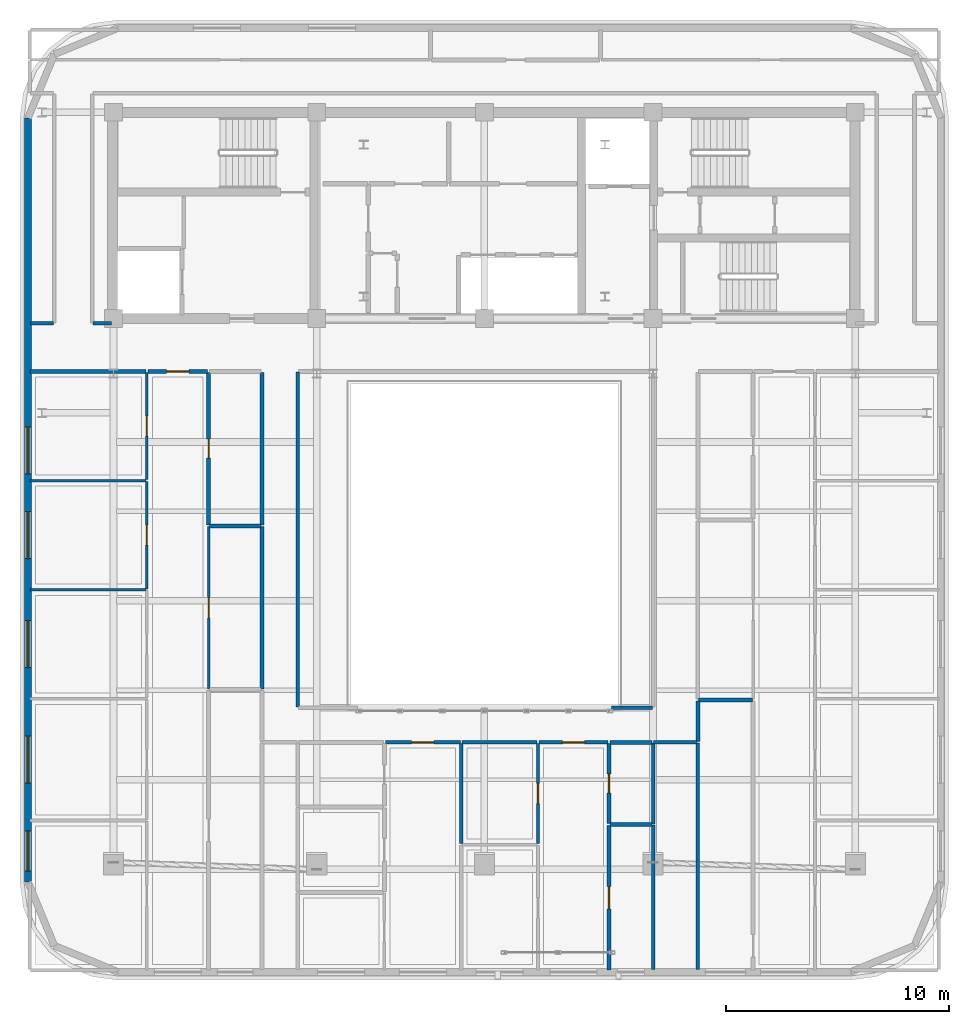
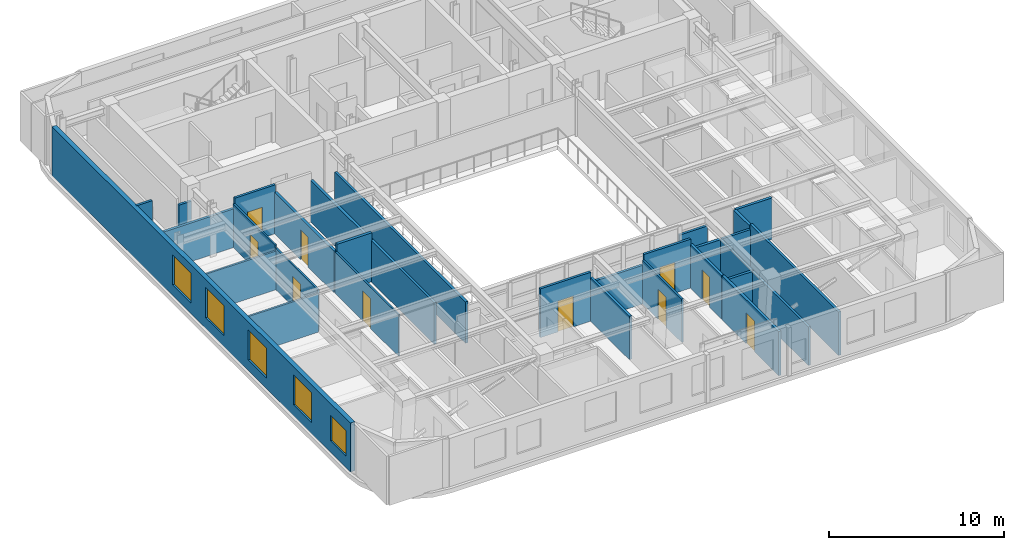
# One storey, part 8 of 14: 31 walls, 10 doors, 5 windows, 15 openings.
"""IFC4 building model written with IfcOpenShell, lengths in metres."""

from ifc_helpers import new_model, si_unit, direction, frame, frame_2d, origin, place, context, subcontext, project, spatial, rectangle, extrude, material, layer, layer_set, type_object, element, fill, save


model = new_model("IFC4")

# Units and contexts
model_context = context("Model", 3, precision=1e-05, world=origin(), true_north=direction((0.0, 1.0)))
body_context = subcontext(model_context, "Body", "Model", "MODEL_VIEW")
ifc_project = project(units=[si_unit("LENGTHUNIT", "METRE"), si_unit("AREAUNIT", "SQUARE_METRE"), si_unit("VOLUMEUNIT", "CUBIC_METRE"), si_unit("PLANEANGLEUNIT", "RADIAN"), si_unit("MASSUNIT", "GRAM", prefix="KILO")], contexts=[model_context])

# Site, building, storey
site_placement = place(None, origin())
site = spatial("IfcSite", under=ifc_project, at=site_placement, CompositionType="ELEMENT")
building_placement = place(site_placement, origin())
building = spatial("IfcBuilding", under=site, at=building_placement, Name="Zarnavel Station Tower", CompositionType="ELEMENT")
storey_placement = place(building_placement, frame((0.0, 0.0, 251.0)))
storey = spatial("IfcBuildingStorey", under=building, at=storey_placement, Name="L68", CompositionType="ELEMENT", Elevation=251.0)

# Wall, openings, windows
ifc_material_1 = material(Name="Precast concrete C45/55 (Dark Basalt Finish)", Category="masonry")
ifc_layer_1 = layer(ifc_material_1, 0.300048828125)
ifc_layer_set_1 = layer_set([ifc_layer_1], Name="EW_BASALT_300")
wall_type_1 = type_object("IfcWallType", Name="EW_BASALT_300", PredefinedType="SOLIDWALL", material=ifc_layer_set_1)
wall_1_placement = place(storey_placement, frame((8.3798828125, 2.60009765625, 0.0), z_axis=(0.0, 0.0, 1.0), x_axis=(0.0, 1.0, 0.0)))
wall_1 = element("IfcWall", 1, at=wall_1_placement, inside=storey, type_object=wall_type_1, Name="L68 Exterior Basalt Masonry Frame Wall 09", PredefinedType="SOLIDWALL", context=body_context, shape_type="SweptSolid", body=[
    extrude(rectangle(XDim=34.199951171875, YDim=0.300048828125, at=frame_2d((17.10009765625, 0.0))), origin(), (0.0, 0.0, 1.0), 3.419921875),
])
opening_1_placement = place(wall_1_placement, frame((0.488525390625, 0.0, 0.800048828125)))
opening_1 = element("IfcOpeningElement", 2, at=opening_1_placement, cuts=wall_1, Name="Opening WN02", PredefinedType="OPENING", context=body_context, shape_type="SweptSolid", body=[
    extrude(rectangle(XDim=1.800048828125, YDim=1.800048828125, at=frame_2d((0.89990234375, 0.89990234375))), frame((0.0, 0.159912109375, 0.0), z_axis=(0.0, -1.0, 0.0), x_axis=(1.0, 0.0, 0.0)), (0.0, 0.0, 1.0), 0.320068359375),
])
opening_2_placement = place(wall_1_placement, frame((4.431396484375, 0.0, 0.75)))
opening_2 = element("IfcOpeningElement", 3, at=opening_2_placement, cuts=wall_1, Name="Opening WN05", PredefinedType="OPENING", context=body_context, shape_type="SweptSolid", body=[
    extrude(rectangle(XDim=2.10009765625, YDim=2.10009765625, at=frame_2d((1.050048828125, 1.050048828125))), frame((0.0, 0.159912109375, 0.0), z_axis=(0.0, -1.0, 0.0), x_axis=(1.0, 0.0, 0.0)), (0.0, 0.0, 1.0), 0.320068359375),
])
opening_3_placement = place(wall_1_placement, frame((9.596435546875, 0.0, 0.75)))
opening_3 = element("IfcOpeningElement", 4, at=opening_3_placement, cuts=wall_1, Name="Opening WN05", PredefinedType="OPENING", context=body_context, shape_type="SweptSolid", body=[
    extrude(rectangle(XDim=2.10009765625, YDim=2.10009765625, at=frame_2d((1.050048828125, 1.050048828125))), frame((0.0, 0.159912109375, 0.0), z_axis=(0.0, -1.0, 0.0), x_axis=(1.0, 0.0, 0.0)), (0.0, 0.0, 1.0), 0.320068359375),
])
opening_4_placement = place(wall_1_placement, frame((14.4775390625, 0.0, 0.75)))
opening_4 = element("IfcOpeningElement", 5, at=opening_4_placement, cuts=wall_1, Name="Opening WN05", PredefinedType="OPENING", context=body_context, shape_type="SweptSolid", body=[
    extrude(rectangle(XDim=2.10009765625, YDim=2.10009765625, at=frame_2d((1.050048828125, 1.050048828125))), frame((0.0, 0.159912109375, 0.0), z_axis=(0.0, -1.0, 0.0), x_axis=(1.0, 0.0, 0.0)), (0.0, 0.0, 1.0), 0.320068359375),
])
opening_5_placement = place(wall_1_placement, frame((18.26806640625, 0.0, 0.75)))
opening_5 = element("IfcOpeningElement", 6, at=opening_5_placement, cuts=wall_1, Name="Opening WN05", PredefinedType="OPENING", context=body_context, shape_type="SweptSolid", body=[
    extrude(rectangle(XDim=2.10009765625, YDim=2.10009765625, at=frame_2d((1.050048828125, 1.050048828125))), frame((0.0, 0.159912109375, 0.0), z_axis=(0.0, -1.0, 0.0), x_axis=(1.0, 0.0, 0.0)), (0.0, 0.0, 1.0), 0.320068359375),
])
ifc_material_2 = material(Name="Thermally Broken Black Aluminium and Low-E Dark Glass", Category="aluminium")
window_type_1 = type_object("IfcWindowType", Name="WN_1800x1800", PartitioningType="DOUBLE_PANEL_VERTICAL", PredefinedType="WINDOW", material=ifc_material_2)
window_1_placement = place(opening_1_placement, origin())
window_1 = element("IfcWindow", 7, at=window_1_placement, inside=storey, type_object=window_type_1, Name="L68 Recessed Facade Window 01", OverallHeight=1.800048828125, OverallWidth=1.800048828125, PartitioningType="SINGLE_PANEL", PredefinedType="WINDOW", context=body_context, shape_type="SweptSolid", body=[
    extrude(rectangle(XDim=1.800048828125, YDim=1.800048828125, at=frame_2d((0.89990234375, 0.89990234375))), frame((0.0, 0.030029296875, 0.0), z_axis=(0.0, -1.0, 0.0), x_axis=(1.0, 0.0, 0.0)), (0.0, 0.0, 1.0), 0.06005859375),
])
fill(opening_1, window_1)
ifc_material_3 = material(Name="Thermally Broken Black Aluminium and Low-E Dark Glass", Category="aluminium")
window_type_2 = type_object("IfcWindowType", Name="WN_2100x2100", PartitioningType="TRIPLE_PANEL_VERTICAL", PredefinedType="WINDOW", material=ifc_material_3)
window_2_placement = place(opening_2_placement, origin())
window_2 = element("IfcWindow", 8, at=window_2_placement, inside=storey, type_object=window_type_2, Name="L68 Recessed Facade Window 02", OverallHeight=2.10009765625, OverallWidth=2.10009765625, PartitioningType="SINGLE_PANEL", PredefinedType="WINDOW", context=body_context, shape_type="SweptSolid", body=[
    extrude(rectangle(XDim=2.10009765625, YDim=2.10009765625, at=frame_2d((1.050048828125, 1.050048828125))), frame((0.0, 0.030029296875, 0.0), z_axis=(0.0, -1.0, 0.0), x_axis=(1.0, 0.0, 0.0)), (0.0, 0.0, 1.0), 0.06005859375),
])
fill(opening_2, window_2)
window_3_placement = place(opening_3_placement, origin())
window_3 = element("IfcWindow", 9, at=window_3_placement, inside=storey, type_object=window_type_2, Name="L68 Recessed Facade Window 03", OverallHeight=2.10009765625, OverallWidth=2.10009765625, PartitioningType="SINGLE_PANEL", PredefinedType="WINDOW", context=body_context, shape_type="SweptSolid", body=[
    extrude(rectangle(XDim=2.10009765625, YDim=2.10009765625, at=frame_2d((1.050048828125, 1.050048828125))), frame((0.0, 0.030029296875, 0.0), z_axis=(0.0, -1.0, 0.0), x_axis=(1.0, 0.0, 0.0)), (0.0, 0.0, 1.0), 0.06005859375),
])
fill(opening_3, window_3)
window_4_placement = place(opening_4_placement, origin())
window_4 = element("IfcWindow", 10, at=window_4_placement, inside=storey, type_object=window_type_2, Name="L68 Recessed Facade Window 04", OverallHeight=2.10009765625, OverallWidth=2.10009765625, PartitioningType="SINGLE_PANEL", PredefinedType="WINDOW", context=body_context, shape_type="SweptSolid", body=[
    extrude(rectangle(XDim=2.10009765625, YDim=2.10009765625, at=frame_2d((1.050048828125, 1.050048828125))), frame((0.0, 0.030029296875, 0.0), z_axis=(0.0, -1.0, 0.0), x_axis=(1.0, 0.0, 0.0)), (0.0, 0.0, 1.0), 0.06005859375),
])
fill(opening_4, window_4)
window_5_placement = place(opening_5_placement, origin())
window_5 = element("IfcWindow", 11, at=window_5_placement, inside=storey, type_object=window_type_2, Name="L68 Recessed Facade Window 05", OverallHeight=2.10009765625, OverallWidth=2.10009765625, PartitioningType="SINGLE_PANEL", PredefinedType="WINDOW", context=body_context, shape_type="SweptSolid", body=[
    extrude(rectangle(XDim=2.10009765625, YDim=2.10009765625, at=frame_2d((1.050048828125, 1.050048828125))), frame((0.0, 0.030029296875, 0.0), z_axis=(0.0, -1.0, 0.0), x_axis=(1.0, 0.0, 0.0)), (0.0, 0.0, 1.0), 0.06005859375),
])
fill(opening_5, window_5)

# Wall, opening, door
ifc_material_4 = material(Name="Gypsum Twin-Stud Acoustic Fire Partition", Category="concrete")
ifc_layer_2 = layer(ifc_material_4, 0.159912109375)
ifc_layer_set_2 = layer_set([ifc_layer_2], Name="PT_DEMISE_160")
wall_type_2 = type_object("IfcWallType", Name="PT_DEMISE_160", PredefinedType="PARTITIONING", material=ifc_layer_set_2)
wall_2_placement = place(storey_placement, frame((13.738037109375, 25.449951171875, 0.0), z_axis=(0.0, 0.0, 1.0), x_axis=(1.0, 0.0, 0.0)))
wall_2 = element("IfcWall", 12, at=wall_2_placement, inside=storey, type_object=wall_type_2, Name="L68 Partition COR-S-UW1LV", PredefinedType="PARTITIONING", context=body_context, shape_type="SweptSolid", body=[
    extrude(rectangle(XDim=2.681884765625, YDim=0.159912109375, at=frame_2d((1.3408203125, 0.0))), origin(), (0.0, 0.0, 1.0), 3.419921875),
])
opening_6_placement = place(wall_2_placement, frame((0.841064453125, 0.0, 0.0)))
opening_6 = element("IfcOpeningElement", 13, at=opening_6_placement, cuts=wall_2, Name="Opening FD02", PredefinedType="OPENING", context=body_context, shape_type="SweptSolid", body=[
    extrude(rectangle(XDim=1.0, YDim=2.14990234375, at=frame_2d((0.5, 1.074951171875))), frame((0.0, 0.08984375, 0.0), z_axis=(0.0, -1.0, 0.0), x_axis=(1.0, 0.0, 0.0)), (0.0, 0.0, 1.0), 0.179931640625),
])
ifc_material_5 = material(Name="Painted Galvanised Steel and Hardwood Leaf", Category="steel")
door_type_1 = type_object("IfcDoorType", Name="ID_ENTRY_1000", OperationType="NOTDEFINED", PredefinedType="DOOR", material=ifc_material_5)
door_1_placement = place(opening_6_placement, origin())
door_1 = element("IfcDoor", 14, at=door_1_placement, inside=storey, type_object=door_type_1, Name="L68 Door COR-S-UW1LV", OperationType="SINGLE_SWING_RIGHT", OverallHeight=2.14990234375, OverallWidth=1.0, PredefinedType="DOOR", context=body_context, shape_type="SweptSolid", body=[
    extrude(rectangle(XDim=1.0, YDim=2.14990234375, at=frame_2d((0.5, 1.074951171875))), frame((0.0, 0.02490234375, 0.0), z_axis=(0.0, -1.0, 0.0), x_axis=(1.0, 0.0, 0.0)), (0.0, 0.0, 1.0), 0.050048828125),
])
fill(opening_6, door_1)

# Walls
wall_3_placement = place(storey_placement, frame((8.4599609375, 25.449951171875, 0.0), z_axis=(0.0, 0.0, 1.0), x_axis=(1.0, 0.0, 0.0)))
element("IfcWall", 15, at=wall_3_placement, inside=storey, type_object=wall_type_2, Name="L68 Partition COR-S-UW1B5", PredefinedType="PARTITIONING", context=body_context, shape_type="SweptSolid", body=[
    extrude(rectangle(XDim=5.197998046875, YDim=0.159912109375, at=frame_2d((2.59912109375, 0.0))), origin(), (0.0, 0.0, 1.0), 2.699951171875),
])
wall_4_placement = place(storey_placement, frame((18.85009765625, 11.251953125, 0.0), z_axis=(0.0, 0.0, 1.0), x_axis=(0.0, 1.0, 0.0)))
element("IfcWall", 16, at=wall_4_placement, inside=storey, type_object=wall_type_2, Name="L68 Partition COR-AW-UW1UT", PredefinedType="PARTITIONING", context=body_context, shape_type="SweptSolid", body=[
    extrude(rectangle(XDim=7.254150390625, YDim=0.159912109375, at=frame_2d((3.626953125, 0.0))), origin(), (0.0, 0.0, 1.0), 2.89990234375),
])

# Wall, opening, door
wall_5_placement = place(storey_placement, frame((24.365966796875, 8.85009765625, 0.0), z_axis=(0.0, 0.0, 1.0), x_axis=(1.0, 0.0, 0.0)))
wall_5 = element("IfcWall", 17, at=wall_5_placement, inside=storey, type_object=wall_type_2, Name="L68 Partition COR-AS-US1ALV", PredefinedType="PARTITIONING", context=body_context, shape_type="SweptSolid", body=[
    extrude(rectangle(XDim=3.358154296875, YDim=0.159912109375, at=frame_2d((1.67919921875, 0.0))), origin(), (0.0, 0.0, 1.0), 3.419921875),
])
opening_7_placement = place(wall_5_placement, frame((1.178955078125, 0.0, 0.0)))
opening_7 = element("IfcOpeningElement", 18, at=opening_7_placement, cuts=wall_5, Name="Opening FD02", PredefinedType="OPENING", context=body_context, shape_type="SweptSolid", body=[
    extrude(rectangle(XDim=1.0, YDim=2.14990234375, at=frame_2d((0.5, 1.074951171875))), frame((0.0, 0.08984375, 0.0), z_axis=(0.0, -1.0, 0.0), x_axis=(1.0, 0.0, 0.0)), (0.0, 0.0, 1.0), 0.179931640625),
])
door_2_placement = place(opening_7_placement, origin())
door_2 = element("IfcDoor", 19, at=door_2_placement, inside=storey, type_object=door_type_1, Name="L68 Door COR-AS-US1ALV", OperationType="SINGLE_SWING_RIGHT", OverallHeight=2.14990234375, OverallWidth=1.0, PredefinedType="DOOR", context=body_context, shape_type="SweptSolid", body=[
    extrude(rectangle(XDim=1.0, YDim=2.14990234375, at=frame_2d((0.5, 1.074951171875))), frame((0.0, 0.02490234375, 0.0), z_axis=(0.0, -1.0, 0.0), x_axis=(1.0, 0.0, 0.0)), (0.0, 0.0, 1.0), 0.050048828125),
])
fill(opening_7, door_2)

wall_6_placement = place(storey_placement, frame((31.238037109375, 8.85009765625, 0.0), z_axis=(0.0, 0.0, 1.0), x_axis=(1.0, 0.0, 0.0)))
wall_6 = element("IfcWall", 20, at=wall_6_placement, inside=storey, type_object=wall_type_2, Name="L68 Partition COR-AS-US1BLV", PredefinedType="PARTITIONING", context=body_context, shape_type="SweptSolid", body=[
    extrude(rectangle(XDim=3.096923828125, YDim=0.159912109375, at=frame_2d((1.54833984375, 0.0))), origin(), (0.0, 0.0, 1.0), 3.419921875),
])
opening_8_placement = place(wall_6_placement, frame((1.048583984375, 0.0, 0.0)))
opening_8 = element("IfcOpeningElement", 21, at=opening_8_placement, cuts=wall_6, Name="Opening FD02", PredefinedType="OPENING", context=body_context, shape_type="SweptSolid", body=[
    extrude(rectangle(XDim=1.0, YDim=2.14990234375, at=frame_2d((0.5, 1.074951171875))), frame((0.0, 0.08984375, 0.0), z_axis=(0.0, -1.0, 0.0), x_axis=(1.0, 0.0, 0.0)), (0.0, 0.0, 1.0), 0.179931640625),
])
door_3_placement = place(opening_8_placement, origin())
door_3 = element("IfcDoor", 22, at=door_3_placement, inside=storey, type_object=door_type_1, Name="L68 Door COR-AS-US1BLV", OperationType="SINGLE_SWING_LEFT", OverallHeight=2.14990234375, OverallWidth=1.0, PredefinedType="DOOR", context=body_context, shape_type="SweptSolid", body=[
    extrude(rectangle(XDim=1.0, YDim=2.14990234375, at=frame_2d((0.5, 1.074951171875))), frame((0.0, 0.02490234375, 0.0), z_axis=(0.0, -1.0, 0.0), x_axis=(1.0, 0.0, 0.0)), (0.0, 0.0, 1.0), 0.050048828125),
])
fill(opening_8, door_3)

# Walls
wall_7_placement = place(storey_placement, frame((27.803955078125, 8.85009765625, 0.0), z_axis=(0.0, 0.0, 1.0), x_axis=(1.0, 0.0, 0.0)))
element("IfcWall", 23, at=wall_7_placement, inside=storey, type_object=wall_type_2, Name="L68 Partition COR-AS-US1BB2", PredefinedType="PARTITIONING", context=body_context, shape_type="SweptSolid", body=[
    extrude(rectangle(XDim=3.35400390625, YDim=0.159912109375, at=frame_2d((1.677001953125, 0.0))), origin(), (0.0, 0.0, 1.0), 2.699951171875),
])
wall_8_placement = place(storey_placement, frame((27.763916015625, 4.319091796875, 0.0), z_axis=(0.0, 0.0, 1.0), x_axis=(0.0, 1.0, 0.0)))
element("IfcWall", 24, at=wall_8_placement, inside=storey, type_object=wall_type_2, Name="L68 Partition US1ALV-US1BB2", PredefinedType="PARTITIONING", context=body_context, shape_type="SweptSolid", body=[
    extrude(rectangle(XDim=4.490966796875, YDim=0.159912109375, at=frame_2d((2.24560546875, 0.0))), origin(), (0.0, 0.0, 1.0), 3.0400390625),
])
wall_9_placement = place(storey_placement, frame((8.489990234375, 27.60009765625, 0.0), z_axis=(0.0, 0.0, 1.0), x_axis=(1.0, 0.0, 0.0)))
element("IfcWall", 25, at=wall_9_placement, inside=storey, type_object=wall_type_2, Name="L68 Enclosure Wall COR-S", PredefinedType="PARTITIONING", context=body_context, shape_type="SweptSolid", body=[
    extrude(rectangle(XDim=1.030029296875, YDim=0.159912109375, at=frame_2d((0.51513671875, 0.0))), origin(), (0.0, 0.0, 1.0), 3.419921875),
])
wall_10_placement = place(storey_placement, frame((11.280029296875, 27.60009765625, 0.0), z_axis=(0.0, 0.0, 1.0), x_axis=(1.0, 0.0, 0.0)))
element("IfcWall", 26, at=wall_10_placement, inside=storey, type_object=wall_type_2, Name="L68 Enclosure Wall COR-S", PredefinedType="PARTITIONING", context=body_context, shape_type="SweptSolid", body=[
    extrude(rectangle(XDim=0.840087890625, YDim=0.159912109375, at=frame_2d((0.419921875, 0.0))), origin(), (0.0, 0.0, 1.0), 2.489990234375),
])
wall_11_placement = place(storey_placement, frame((20.449951171875, 10.429931640625, 0.0), z_axis=(0.0, 0.0, 1.0), x_axis=(0.0, 1.0, 0.0)))
element("IfcWall", 27, at=wall_11_placement, inside=storey, type_object=wall_type_2, Name="L68 Enclosure Wall COR-AW", PredefinedType="PARTITIONING", context=body_context, shape_type="SweptSolid", body=[
    extrude(rectangle(XDim=14.989990234375, YDim=0.159912109375, at=frame_2d((7.4951171875, 0.0))), origin(), (0.0, 0.0, 1.0), 2.89990234375),
])
wall_12_placement = place(storey_placement, frame((36.3798828125, 8.85009765625, 0.0), z_axis=(0.0, 0.0, 1.0), x_axis=(1.0, 0.0, 0.0)))
element("IfcWall", 28, at=wall_12_placement, inside=storey, type_object=wall_type_2, Name="L68 Enclosure Wall COR-AE", PredefinedType="PARTITIONING", context=body_context, shape_type="SweptSolid", body=[
    extrude(rectangle(XDim=1.940185546875, YDim=0.159912109375, at=frame_2d((0.97021484375, 0.0))), origin(), (0.0, 0.0, 1.0), 2.699951171875),
])
wall_13_placement = place(storey_placement, frame((34.47998046875, 10.39990234375, 0.0), z_axis=(0.0, 0.0, 1.0), x_axis=(1.0, 0.0, 0.0)))
element("IfcWall", 29, at=wall_13_placement, inside=storey, type_object=wall_type_2, Name="L68 Enclosure Wall COR-AS", PredefinedType="PARTITIONING", context=body_context, shape_type="SweptSolid", body=[
    extrude(rectangle(XDim=1.840087890625, YDim=0.159912109375, at=frame_2d((0.919921875, 0.0))), origin(), (0.0, 0.0, 1.0), 2.699951171875),
])
wall_14_placement = place(storey_placement, frame((36.35009765625, -1.31005859375, 0.0), z_axis=(0.0, 0.0, 1.0), x_axis=(0.0, 1.0, 0.0)))
element("IfcWall", 30, at=wall_14_placement, inside=storey, type_object=wall_type_2, Name="L68 Enclosure Wall US1BKT", PredefinedType="PARTITIONING", context=body_context, shape_type="SweptSolid", body=[
    extrude(rectangle(XDim=6.462158203125, YDim=0.159912109375, at=frame_2d((3.23095703125, 0.0))), origin(), (0.0, 0.0, 1.0), 2.699951171875),
])
wall_15_placement = place(storey_placement, frame((36.35009765625, 5.2119140625, 0.0), z_axis=(0.0, 0.0, 1.0), x_axis=(0.0, 1.0, 0.0)))
element("IfcWall", 31, at=wall_15_placement, inside=storey, type_object=wall_type_2, Name="L68 Enclosure Wall US1BBA", PredefinedType="PARTITIONING", context=body_context, shape_type="SweptSolid", body=[
    extrude(rectangle(XDim=3.608154296875, YDim=0.159912109375, at=frame_2d((1.80419921875, 0.0))), origin(), (0.0, 0.0, 1.0), 2.699951171875),
])
wall_16_placement = place(storey_placement, frame((38.35009765625, -1.31005859375, 0.0), z_axis=(0.0, 0.0, 1.0), x_axis=(0.0, 1.0, 0.0)))
element("IfcWall", 32, at=wall_16_placement, inside=storey, type_object=wall_type_2, Name="L68 Enclosure Wall UE1KT", PredefinedType="PARTITIONING", context=body_context, shape_type="SweptSolid", body=[
    extrude(rectangle(XDim=10.130126953125, YDim=0.159912109375, at=frame_2d((5.06494140625, 0.0))), origin(), (0.0, 0.0, 1.0), 3.050048828125),
])

# Wall, opening, door
ifc_material_6 = material(Name="Gypsum Metal-Stud Interior Partition", Category="concrete")
ifc_layer_3 = layer(ifc_material_6, 0.1201171875)
ifc_layer_set_3 = layer_set([ifc_layer_3], Name="PT_ROOM_120")
wall_type_3 = type_object("IfcWallType", Name="PT_ROOM_120", PredefinedType="PARTITIONING", material=ifc_layer_set_3)
wall_17_placement = place(storey_placement, frame((16.4599609375, 11.251953125, 0.0), z_axis=(0.0, 0.0, 1.0), x_axis=(0.0, 1.0, 0.0)))
wall_17 = element("IfcWall", 33, at=wall_17_placement, inside=storey, type_object=wall_type_3, Name="L68 Partition UW1LV-UW1UT", PredefinedType="PARTITIONING", context=body_context, shape_type="SweptSolid", body=[
    extrude(rectangle(XDim=7.254150390625, YDim=0.1201171875, at=frame_2d((3.626953125, 0.0))), origin(), (0.0, 0.0, 1.0), 2.89990234375),
])
opening_9_placement = place(wall_17_placement, frame((3.177001953125, 0.0, 0.0)))
opening_9 = element("IfcOpeningElement", 34, at=opening_9_placement, cuts=wall_17, Name="Opening ID01", PredefinedType="OPENING", context=body_context, shape_type="SweptSolid", body=[
    extrude(rectangle(XDim=0.89990234375, YDim=2.10009765625, at=frame_2d((0.449951171875, 1.050048828125))), frame((0.0, 0.070068359375, 0.0), z_axis=(0.0, -1.0, 0.0), x_axis=(1.0, 0.0, 0.0)), (0.0, 0.0, 1.0), 0.14013671875),
])
ifc_material_7 = material(Name="Painted Galvanised Steel and Hardwood Leaf", Category="steel")
door_type_2 = type_object("IfcDoorType", Name="ID_ROOM_900", OperationType="NOTDEFINED", PredefinedType="DOOR", material=ifc_material_7)
door_4_placement = place(opening_9_placement, origin())
door_4 = element("IfcDoor", 35, at=door_4_placement, inside=storey, type_object=door_type_2, Name="L68 Door UW1LV-UW1UT", OperationType="SINGLE_SWING_RIGHT", OverallHeight=2.10009765625, OverallWidth=0.89990234375, PredefinedType="DOOR", context=body_context, shape_type="SweptSolid", body=[
    extrude(rectangle(XDim=0.89990234375, YDim=2.10009765625, at=frame_2d((0.449951171875, 1.050048828125))), frame((0.0, 0.02490234375, 0.0), z_axis=(0.0, -1.0, 0.0), x_axis=(1.0, 0.0, 0.0)), (0.0, 0.0, 1.0), 0.050048828125),
])
fill(opening_9, door_4)

wall_18_placement = place(storey_placement, frame((13.697998046875, 15.72705078125, 0.0), z_axis=(0.0, 0.0, 1.0), x_axis=(0.0, 1.0, 0.0)))
wall_18 = element("IfcWall", 36, at=wall_18_placement, inside=storey, type_object=wall_type_3, Name="L68 Partition UW1LV-UW1B4", PredefinedType="PARTITIONING", context=body_context, shape_type="SweptSolid", body=[
    extrude(rectangle(XDim=4.801025390625, YDim=0.1201171875, at=frame_2d((2.400390625, 0.0))), origin(), (0.0, 0.0, 1.0), 2.89990234375),
])
opening_10_placement = place(wall_18_placement, frame((1.950439453125, 0.0, 0.0)))
opening_10 = element("IfcOpeningElement", 37, at=opening_10_placement, cuts=wall_18, Name="Opening ID01", PredefinedType="OPENING", context=body_context, shape_type="SweptSolid", body=[
    extrude(rectangle(XDim=0.89990234375, YDim=2.10009765625, at=frame_2d((0.449951171875, 1.050048828125))), frame((0.0, 0.070068359375, 0.0), z_axis=(0.0, -1.0, 0.0), x_axis=(1.0, 0.0, 0.0)), (0.0, 0.0, 1.0), 0.14013671875),
])
door_5_placement = place(opening_10_placement, origin())
door_5 = element("IfcDoor", 38, at=door_5_placement, inside=storey, type_object=door_type_2, Name="L68 Door UW1LV-UW1B4", OperationType="SINGLE_SWING_LEFT", OverallHeight=2.10009765625, OverallWidth=0.89990234375, PredefinedType="DOOR", context=body_context, shape_type="SweptSolid", body=[
    extrude(rectangle(XDim=0.89990234375, YDim=2.10009765625, at=frame_2d((0.449951171875, 1.050048828125))), frame((0.0, 0.02490234375, 0.0), z_axis=(0.0, -1.0, 0.0), x_axis=(1.0, 0.0, 0.0)), (0.0, 0.0, 1.0), 0.050048828125),
])
fill(opening_10, door_5)

wall_19_placement = place(storey_placement, frame((13.697998046875, 20.60791015625, 0.0), z_axis=(0.0, 0.0, 1.0), x_axis=(0.0, 1.0, 0.0)))
wall_19 = element("IfcWall", 39, at=wall_19_placement, inside=storey, type_object=wall_type_3, Name="L68 Partition UW1LV-UW1B5", PredefinedType="PARTITIONING", context=body_context, shape_type="SweptSolid", body=[
    extrude(rectangle(XDim=4.802001953125, YDim=0.1201171875, at=frame_2d((2.40087890625, 0.0))), origin(), (0.0, 0.0, 1.0), 3.050048828125),
])
opening_11_placement = place(wall_19_placement, frame((1.950927734375, 0.0, 0.0)))
opening_11 = element("IfcOpeningElement", 40, at=opening_11_placement, cuts=wall_19, Name="Opening ID01", PredefinedType="OPENING", context=body_context, shape_type="SweptSolid", body=[
    extrude(rectangle(XDim=0.89990234375, YDim=2.10009765625, at=frame_2d((0.449951171875, 1.050048828125))), frame((0.0, 0.070068359375, 0.0), z_axis=(0.0, -1.0, 0.0), x_axis=(1.0, 0.0, 0.0)), (0.0, 0.0, 1.0), 0.14013671875),
])
door_6_placement = place(opening_11_placement, origin())
door_6 = element("IfcDoor", 41, at=door_6_placement, inside=storey, type_object=door_type_2, Name="L68 Door UW1LV-UW1B5", OperationType="SINGLE_SWING_RIGHT", OverallHeight=2.10009765625, OverallWidth=0.89990234375, PredefinedType="DOOR", context=body_context, shape_type="SweptSolid", body=[
    extrude(rectangle(XDim=0.89990234375, YDim=2.10009765625, at=frame_2d((0.449951171875, 1.050048828125))), frame((0.0, 0.02490234375, 0.0), z_axis=(0.0, -1.0, 0.0), x_axis=(1.0, 0.0, 0.0)), (0.0, 0.0, 1.0), 0.050048828125),
])
fill(opening_11, door_6)

# Walls
for number, where, z_axis, x_axis, name in (
    (42, (8.4599609375, 15.68701171875, 0.0), (0.0, 0.0, 1.0), (1.0, 0.0, 0.0), "L68 Partition UW1B3-UW1B4"),
    (43, (8.4599609375, 20.568115234375, 0.0), (0.0, 0.0, 1.0), (1.0, 0.0, 0.0), "L68 Partition UW1B4-UW1B5"),
):
    element("IfcWall", number, at=place(storey_placement, frame(where, z_axis=z_axis, x_axis=x_axis)), inside=storey, type_object=wall_type_3, Name=name, PredefinedType="PARTITIONING", context=body_context, shape_type="SweptSolid", body=[
        extrude(rectangle(XDim=5.197998046875, YDim=0.1201171875, at=frame_2d((2.59912109375, 0.0))), origin(), (0.0, 0.0, 1.0), 2.699951171875),
    ])

# Wall, opening, door
wall_20_placement = place(storey_placement, frame((31.197998046875, 4.319091796875, 0.0), z_axis=(0.0, 0.0, 1.0), x_axis=(0.0, 1.0, 0.0)))
wall_20 = element("IfcWall", 44, at=wall_20_placement, inside=storey, type_object=wall_type_3, Name="L68 Partition US1BLV-US1BB2", PredefinedType="PARTITIONING", context=body_context, shape_type="SweptSolid", body=[
    extrude(rectangle(XDim=4.490966796875, YDim=0.1201171875, at=frame_2d((2.24560546875, 0.0))), origin(), (0.0, 0.0, 1.0), 3.0400390625),
])
opening_12_placement = place(wall_20_placement, frame((1.79541015625, 0.0, 0.0)))
opening_12 = element("IfcOpeningElement", 45, at=opening_12_placement, cuts=wall_20, Name="Opening ID01", PredefinedType="OPENING", context=body_context, shape_type="SweptSolid", body=[
    extrude(rectangle(XDim=0.89990234375, YDim=2.10009765625, at=frame_2d((0.449951171875, 1.050048828125))), frame((0.0, 0.070068359375, 0.0), z_axis=(0.0, -1.0, 0.0), x_axis=(1.0, 0.0, 0.0)), (0.0, 0.0, 1.0), 0.14013671875),
])
door_7_placement = place(opening_12_placement, origin())
door_7 = element("IfcDoor", 46, at=door_7_placement, inside=storey, type_object=door_type_2, Name="L68 Door US1BLV-US1BB2", OperationType="SINGLE_SWING_LEFT", OverallHeight=2.10009765625, OverallWidth=0.89990234375, PredefinedType="DOOR", context=body_context, shape_type="SweptSolid", body=[
    extrude(rectangle(XDim=0.89990234375, YDim=2.10009765625, at=frame_2d((0.449951171875, 1.050048828125))), frame((0.0, 0.02490234375, 0.0), z_axis=(0.0, -1.0, 0.0), x_axis=(1.0, 0.0, 0.0)), (0.0, 0.0, 1.0), 0.050048828125),
])
fill(opening_12, door_7)

# Walls
ifc_material_8 = material(Name="Moisture-Resistant Plumbing Chase Wall", Category="concrete")
ifc_layer_4 = layer(ifc_material_8, 0.179931640625)
ifc_layer_set_4 = layer_set([ifc_layer_4], Name="PW_PLUMB_180")
wall_type_4 = type_object("IfcWallType", Name="PW_PLUMB_180", PredefinedType="PLUMBINGWALL", material=ifc_layer_set_4)
wall_21_placement = place(storey_placement, frame((18.85009765625, 18.5859375, 0.0), z_axis=(0.0, 0.0, 1.0), x_axis=(0.0, 1.0, 0.0)))
element("IfcWall", 47, at=wall_21_placement, inside=storey, type_object=wall_type_4, Name="L68 Partition COR-AW-UW1BA", PredefinedType="PLUMBINGWALL", context=body_context, shape_type="SweptSolid", body=[
    extrude(rectangle(XDim=6.823974609375, YDim=0.179931640625, at=frame_2d((3.412109375, 0.0))), origin(), (0.0, 0.0, 1.0), 2.89990234375),
])
wall_22_placement = place(storey_placement, frame((38.35009765625, 8.889892578125, 0.0), z_axis=(0.0, 0.0, 1.0), x_axis=(0.0, 1.0, 0.0)))
element("IfcWall", 48, at=wall_22_placement, inside=storey, type_object=wall_type_4, Name="L68 Partition COR-AE-UE1KT", PredefinedType="PLUMBINGWALL", context=body_context, shape_type="SweptSolid", body=[
    extrude(rectangle(XDim=1.817138671875, YDim=0.179931640625, at=frame_2d((0.90869140625, 0.0))), origin(), (0.0, 0.0, 1.0), 2.89990234375),
])
wall_23_placement = place(storey_placement, frame((34.4150390625, 8.85009765625, 0.0), z_axis=(0.0, 0.0, 1.0), x_axis=(1.0, 0.0, 0.0)))
element("IfcWall", 49, at=wall_23_placement, inside=storey, type_object=wall_type_4, Name="L68 Partition COR-AS-US1BBA", PredefinedType="PLUMBINGWALL", context=body_context, shape_type="SweptSolid", body=[
    extrude(rectangle(XDim=1.89501953125, YDim=0.179931640625, at=frame_2d((0.947509765625, 0.0))), origin(), (0.0, 0.0, 1.0), 2.699951171875),
])

# Wall, opening, door
wall_24_placement = place(storey_placement, frame((16.4599609375, 18.5859375, 0.0), z_axis=(0.0, 0.0, 1.0), x_axis=(0.0, 1.0, 0.0)))
wall_24 = element("IfcWall", 50, at=wall_24_placement, inside=storey, type_object=wall_type_4, Name="L68 Partition UW1LV-UW1BA", PredefinedType="PLUMBINGWALL", context=body_context, shape_type="SweptSolid", body=[
    extrude(rectangle(XDim=6.823974609375, YDim=0.179931640625, at=frame_2d((3.412109375, 0.0))), origin(), (0.0, 0.0, 1.0), 2.89990234375),
])
opening_13_placement = place(wall_24_placement, frame((2.987060546875, 0.0, 0.0)))
opening_13 = element("IfcOpeningElement", 51, at=opening_13_placement, cuts=wall_24, Name="Opening ID02", PredefinedType="OPENING", context=body_context, shape_type="SweptSolid", body=[
    extrude(rectangle(XDim=0.85009765625, YDim=2.10009765625, at=frame_2d((0.425048828125, 1.050048828125))), frame((0.0, 0.099853515625, 0.0), z_axis=(0.0, -1.0, 0.0), x_axis=(1.0, 0.0, 0.0)), (0.0, 0.0, 1.0), 0.199951171875),
])
ifc_material_9 = material(Name="Painted Galvanised Steel and Hardwood Leaf", Category="steel")
door_type_3 = type_object("IfcDoorType", Name="ID_BATH_850", OperationType="NOTDEFINED", PredefinedType="DOOR", material=ifc_material_9)
door_8_placement = place(opening_13_placement, origin())
door_8 = element("IfcDoor", 52, at=door_8_placement, inside=storey, type_object=door_type_3, Name="L68 Door UW1LV-UW1BA", OperationType="SINGLE_SWING_LEFT", OverallHeight=2.10009765625, OverallWidth=0.85009765625, PredefinedType="DOOR", context=body_context, shape_type="SweptSolid", body=[
    extrude(rectangle(XDim=0.85009765625, YDim=2.10009765625, at=frame_2d((0.425048828125, 1.050048828125))), frame((0.0, 0.02490234375, 0.0), z_axis=(0.0, -1.0, 0.0), x_axis=(1.0, 0.0, 0.0)), (0.0, 0.0, 1.0), 0.050048828125),
])
fill(opening_13, door_8)

# Wall
wall_25_placement = place(storey_placement, frame((16.5, 18.5458984375, 0.0), z_axis=(0.0, 0.0, 1.0), x_axis=(1.0, 0.0, 0.0)))
element("IfcWall", 53, at=wall_25_placement, inside=storey, type_object=wall_type_4, Name="L68 Partition UW1UT-UW1BA", PredefinedType="PLUMBINGWALL", context=body_context, shape_type="SweptSolid", body=[
    extrude(rectangle(XDim=2.31005859375, YDim=0.179931640625, at=frame_2d((1.155029296875, 0.0))), origin(), (0.0, 0.0, 1.0), 3.419921875),
])

# Wall, opening, door
wall_26_placement = place(storey_placement, frame((34.375, -1.340087890625, 0.0), z_axis=(0.0, 0.0, 1.0), x_axis=(0.0, 1.0, 0.0)))
wall_26 = element("IfcWall", 54, at=wall_26_placement, inside=storey, type_object=wall_type_4, Name="L68 Partition US1BLV-US1BKT", PredefinedType="PLUMBINGWALL", context=body_context, shape_type="SweptSolid", body=[
    extrude(rectangle(XDim=6.482177734375, YDim=0.179931640625, at=frame_2d((3.2412109375, 0.0))), origin(), (0.0, 0.0, 1.0), 3.080078125),
])
opening_14_placement = place(wall_26_placement, frame((2.740966796875, 0.0, 0.0)))
opening_14 = element("IfcOpeningElement", 55, at=opening_14_placement, cuts=wall_26, Name="Opening FD02", PredefinedType="OPENING", context=body_context, shape_type="SweptSolid", body=[
    extrude(rectangle(XDim=1.0, YDim=2.14990234375, at=frame_2d((0.5, 1.074951171875))), frame((0.0, 0.099853515625, 0.0), z_axis=(0.0, -1.0, 0.0), x_axis=(1.0, 0.0, 0.0)), (0.0, 0.0, 1.0), 0.199951171875),
])
door_9_placement = place(opening_14_placement, origin())
door_9 = element("IfcDoor", 56, at=door_9_placement, inside=storey, type_object=door_type_1, Name="L68 Door US1BLV-US1BKT", OperationType="SINGLE_SWING_RIGHT", OverallHeight=2.14990234375, OverallWidth=1.0, PredefinedType="DOOR", context=body_context, shape_type="SweptSolid", body=[
    extrude(rectangle(XDim=1.0, YDim=2.14990234375, at=frame_2d((0.5, 1.074951171875))), frame((0.0, 0.02490234375, 0.0), z_axis=(0.0, -1.0, 0.0), x_axis=(1.0, 0.0, 0.0)), (0.0, 0.0, 1.0), 0.050048828125),
])
fill(opening_14, door_9)

wall_27_placement = place(storey_placement, frame((34.375, 5.221923828125, 0.0), z_axis=(0.0, 0.0, 1.0), x_axis=(0.0, 1.0, 0.0)))
wall_27 = element("IfcWall", 57, at=wall_27_placement, inside=storey, type_object=wall_type_4, Name="L68 Partition US1BLV-US1BBA", PredefinedType="PLUMBINGWALL", context=body_context, shape_type="SweptSolid", body=[
    extrude(rectangle(XDim=3.588134765625, YDim=0.179931640625, at=frame_2d((1.7939453125, 0.0))), origin(), (0.0, 0.0, 1.0), 3.0400390625),
])
opening_15_placement = place(wall_27_placement, frame((1.368896484375, 0.0, 0.0)))
opening_15 = element("IfcOpeningElement", 58, at=opening_15_placement, cuts=wall_27, Name="Opening ID02", PredefinedType="OPENING", context=body_context, shape_type="SweptSolid", body=[
    extrude(rectangle(XDim=0.85009765625, YDim=2.10009765625, at=frame_2d((0.425048828125, 1.050048828125))), frame((0.0, 0.099853515625, 0.0), z_axis=(0.0, -1.0, 0.0), x_axis=(1.0, 0.0, 0.0)), (0.0, 0.0, 1.0), 0.199951171875),
])
door_10_placement = place(opening_15_placement, origin())
door_10 = element("IfcDoor", 59, at=door_10_placement, inside=storey, type_object=door_type_3, Name="L68 Door US1BLV-US1BBA", OperationType="SINGLE_SWING_LEFT", OverallHeight=2.10009765625, OverallWidth=0.85009765625, PredefinedType="DOOR", context=body_context, shape_type="SweptSolid", body=[
    extrude(rectangle(XDim=0.85009765625, YDim=2.10009765625, at=frame_2d((0.425048828125, 1.050048828125))), frame((0.0, 0.02490234375, 0.0), z_axis=(0.0, -1.0, 0.0), x_axis=(1.0, 0.0, 0.0)), (0.0, 0.0, 1.0), 0.050048828125),
])
fill(opening_15, door_10)

# Walls
wall_28_placement = place(storey_placement, frame((34.4150390625, 5.181884765625, 0.0), z_axis=(0.0, 0.0, 1.0), x_axis=(1.0, 0.0, 0.0)))
element("IfcWall", 60, at=wall_28_placement, inside=storey, type_object=wall_type_4, Name="L68 Partition US1BKT-US1BBA", PredefinedType="PLUMBINGWALL", context=body_context, shape_type="SweptSolid", body=[
    extrude(rectangle(XDim=1.89501953125, YDim=0.179931640625, at=frame_2d((0.947509765625, 0.0))), origin(), (0.0, 0.0, 1.0), 2.699951171875),
])
wall_29_placement = place(storey_placement, frame((38.389892578125, 10.7470703125, 0.0), z_axis=(0.0, 0.0, 1.0), x_axis=(1.0, 0.0, 0.0)))
element("IfcWall", 61, at=wall_29_placement, inside=storey, type_object=wall_type_4, Name="L68 Partition UE1KT-UE1UT", PredefinedType="PLUMBINGWALL", context=body_context, shape_type="SweptSolid", body=[
    extrude(rectangle(XDim=2.402099609375, YDim=0.179931640625, at=frame_2d((1.201171875, 0.0))), origin(), (0.0, 0.0, 1.0), 2.89990234375),
])

save(model, "model.ifc")
